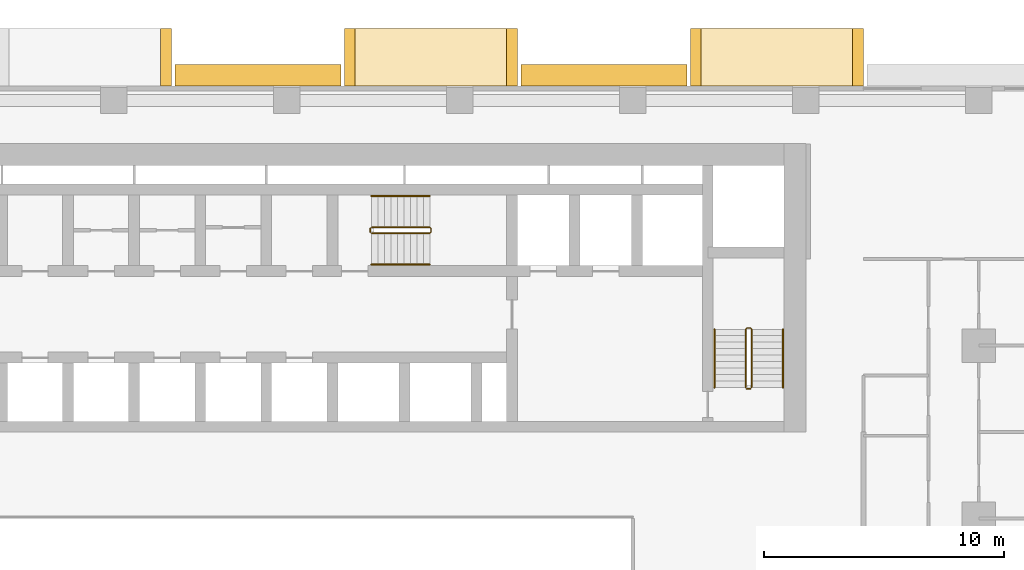
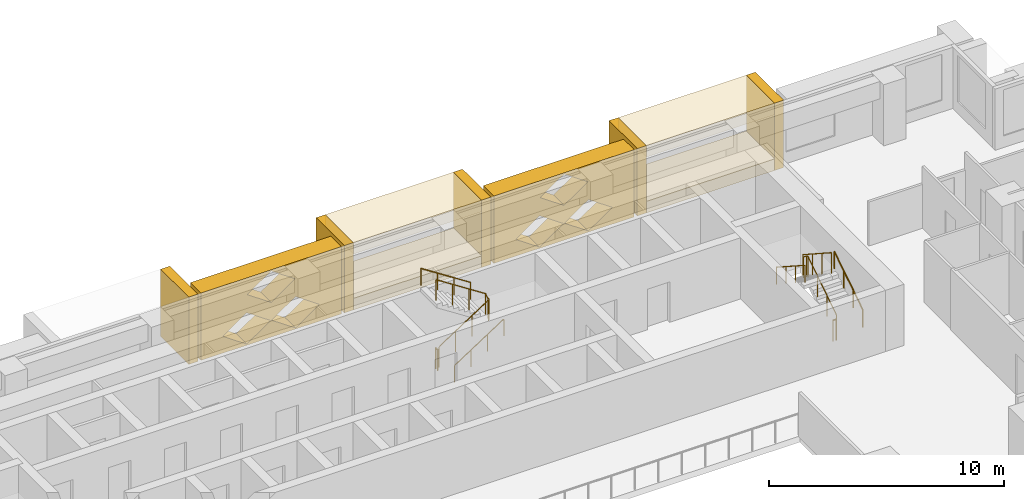
# One storey, part 15 of 16: 11 coverings, 8 railings.
"""IFC4 building model written with IfcOpenShell, lengths in metres."""

from ifc_helpers import new_model, si_unit, direction, frame, origin, origin_2d, place, context, subcontext, project, spatial, polyline, circle, outline, extrude, material, type_object, element, save


model = new_model("IFC4")

# Units and contexts
model_context = context("Model", 3, precision=1e-05, world=origin(), true_north=direction((0.0, 1.0)))
body_context = subcontext(model_context, "Body", "Model", "MODEL_VIEW")
ifc_project = project(units=[si_unit("LENGTHUNIT", "METRE"), si_unit("AREAUNIT", "SQUARE_METRE"), si_unit("VOLUMEUNIT", "CUBIC_METRE"), si_unit("PLANEANGLEUNIT", "RADIAN"), si_unit("MASSUNIT", "GRAM", prefix="KILO")], contexts=[model_context])

# Site, building, storey
site_placement = place(None, origin())
site = spatial("IfcSite", under=ifc_project, at=site_placement, CompositionType="ELEMENT")
building_placement = place(site_placement, origin())
building = spatial("IfcBuilding", under=site, at=building_placement, Name="Saffron Iwan Residences", CompositionType="ELEMENT")
storey_placement = place(building_placement, frame((0.0, 0.0, 30.5)))
storey = spatial("IfcBuildingStorey", under=building, at=storey_placement, Name="L06", CompositionType="ELEMENT", Elevation=30.5)

# Coverings
ifc_material_1 = material(Name="Precast concrete C40/50", Category="concrete")
covering_type_1 = type_object("IfcCoveringType", Name="OUTER SKIN LATTICE SCREEN", PredefinedType="CLADDING", material=ifc_material_1)
for number, where, z_axis, x_axis, name in (
    (1, (67.050048828125, 80.39990234375, -0.320068359375), (0.0, 1.0, 0.0), (-1.0, 0.0, 0.0), "OUTER SKIN lattice screen L06 F5.1"),
    (2, (52.64990234375, 80.39990234375, -0.320068359375), (0.0, 1.0, 0.0), (-1.0, 0.0, 0.0), "OUTER SKIN lattice screen L06 F5.2"),
):
    element("IfcCovering", number, at=place(storey_placement, frame(where, z_axis=z_axis, x_axis=x_axis)), inside=storey, type_object=covering_type_1, Name=name, PredefinedType="CLADDING", context=body_context, shape_type="SweptSolid", body=[
        extrude(outline(polyline([(0.0, 0.0), (6.89990234375, 0.0), (6.89990234375, 3.5), (0.0, 3.5), (0.0, 0.0)]), holes=[polyline([(1.070068359375, 0.875), (2.25, 0.06005859375), (3.429931640625, 0.875), (2.25, 1.68994140625), (1.070068359375, 0.875)]), polyline([(3.469970703125, 0.875), (4.64990234375, 0.06005859375), (5.830078125, 0.875), (4.64990234375, 1.68994140625), (3.469970703125, 0.875)]), polyline([(2.27001953125, 2.625), (3.449951171875, 1.81005859375), (4.6298828125, 2.625), (3.449951171875, 3.43994140625), (2.27001953125, 2.625)])]), origin(), (0.0, 0.0, 1.0), 0.900146484375),
    ])

# Railings
ifc_material_2 = material(Name="Steel S355", Category="steel")
railing_type_1 = type_object("IfcRailingType", Name="Stair guard 1100", PredefinedType="GUARDRAIL", material=ifc_material_2)
railing_1_placement = place(storey_placement, frame((53.925048828125, 74.27490234375, 0.175048828125)))
element("IfcRailing", 3, at=railing_1_placement, inside=storey, type_object=railing_type_1, Name="L06 ST-C stair guard 1", PredefinedType="GUARDRAIL", context=body_context, shape_type="SweptSolid", body=[
    extrude(circle(Radius=0.02392578125, at=origin_2d()), frame((0.0, 0.0, 1.076171875), z_axis=(0.839153699163, 0.0, 0.543894354798), x_axis=(0.0, 1.0, 0.0)), (0.0, 0.0, 1.0), 2.895751953125),
    extrude(circle(Radius=0.02392578125, at=origin_2d()), frame((2.429931640625, 0.0, 2.65087890625), z_axis=(0.707106781187, 0.707106781187, 0.0), x_axis=(-0.707106781187, 0.707106781187, 0.0)), (0.0, 0.0, 1.0), 0.07080078125),
    extrude(circle(Radius=0.02392578125, at=origin_2d()), frame((2.47998046875, 0.050048828125, 2.65087890625), z_axis=(0.0, 1.0, 0.0), x_axis=(-1.0, 0.0, 0.0)), (0.0, 0.0, 1.0), 0.150146484375),
    extrude(circle(Radius=0.02392578125, at=origin_2d()), frame((2.47998046875, 0.2001953125, 2.65087890625), z_axis=(-0.265155923931, 0.263862480399, 0.927399011991), x_axis=(-0.705375805398, -0.708833529934, 0.0)), (0.0, 0.0, 1.0), 0.188720703125),
    extrude(circle(Radius=0.02392578125, at=origin_2d()), frame((2.429931640625, 0.25, 2.826171875), z_axis=(-0.839153699163, 0.0, 0.543894354798), x_axis=(0.0, -1.0, 0.0)), (0.0, 0.0, 1.0), 2.895751953125),
    extrude(circle(Radius=0.02099609375, at=origin_2d()), origin(), (0.0, 0.0, 1.0), 1.052001953125),
    extrude(circle(Radius=0.02099609375, at=origin_2d()), frame((0.81005859375, 0.0, 0.52490234375)), (0.0, 0.0, 1.0), 1.052001953125),
    extrude(circle(Radius=0.02099609375, at=origin_2d()), frame((1.619873046875, 0.0, 1.050048828125)), (0.0, 0.0, 1.0), 1.052001953125),
    extrude(circle(Radius=0.02099609375, at=origin_2d()), frame((2.429931640625, 0.0, 1.574951171875)), (0.0, 0.0, 1.0), 1.052001953125),
    extrude(circle(Radius=0.02099609375, at=origin_2d()), frame((2.47998046875, 0.050048828125, 1.574951171875)), (0.0, 0.0, 1.0), 1.052001953125),
    extrude(circle(Radius=0.02099609375, at=origin_2d()), frame((2.47998046875, 0.2001953125, 1.574951171875)), (0.0, 0.0, 1.0), 1.052001953125),
    extrude(circle(Radius=0.02099609375, at=origin_2d()), frame((2.429931640625, 0.25, 1.75)), (0.0, 0.0, 1.0), 1.052001953125),
    extrude(circle(Radius=0.02099609375, at=origin_2d()), frame((1.619873046875, 0.25, 2.27490234375)), (0.0, 0.0, 1.0), 1.052001953125),
    extrude(circle(Radius=0.02099609375, at=origin_2d()), frame((0.81005859375, 0.25, 2.800048828125)), (0.0, 0.0, 1.0), 1.052001953125),
    extrude(circle(Radius=0.02099609375, at=origin_2d()), frame((0.0, 0.25, 3.324951171875)), (0.0, 0.0, 1.0), 1.052001953125),
])
railing_2_placement = place(storey_placement, frame((53.875, 74.324951171875, 0.0)))
element("IfcRailing", 4, at=railing_2_placement, inside=storey, type_object=railing_type_1, Name="L06 ST-C stair guard 2", PredefinedType="GUARDRAIL", context=body_context, shape_type="SweptSolid", body=[
    extrude(circle(Radius=0.02392578125, at=origin_2d()), frame((0.0, 0.0, 1.076171875), z_axis=(0.0, 1.0, 0.0), x_axis=(-1.0, 0.0, 0.0)), (0.0, 0.0, 1.0), 0.150146484375),
    extrude(circle(Radius=0.02099609375, at=origin_2d()), origin(), (0.0, 0.0, 1.0), 1.052001953125),
    extrude(circle(Radius=0.02099609375, at=origin_2d()), frame((0.0, 0.150146484375, 0.0)), (0.0, 0.0, 1.0), 1.052001953125),
])
railing_3_placement = place(storey_placement, frame((69.75, 67.85009765625, 0.175048828125)))
element("IfcRailing", 5, at=railing_3_placement, inside=storey, type_object=railing_type_1, Name="L06 ST-E stair guard 1", PredefinedType="GUARDRAIL", context=body_context, shape_type="SweptSolid", body=[
    extrude(circle(Radius=0.02392578125, at=origin_2d()), frame((0.0, 0.0, 1.076171875), z_axis=(0.0, 0.839153699163, 0.543894354798), x_axis=(-1.0, 0.0, 0.0)), (0.0, 0.0, 1.0), 2.895751953125),
    extrude(circle(Radius=0.02392578125, at=origin_2d()), frame((0.0, 2.429931640625, 2.65087890625), z_axis=(-0.707106781187, 0.707106781187, 0.0), x_axis=(-0.707106781187, -0.707106781187, 0.0)), (0.0, 0.0, 1.0), 0.07080078125),
    extrude(circle(Radius=0.02392578125, at=origin_2d()), frame((-0.050048828125, 2.47998046875, 2.65087890625), z_axis=(-1.0, 0.0, 0.0), x_axis=(0.0, -1.0, 0.0)), (0.0, 0.0, 1.0), 0.14990234375),
    extrude(circle(Radius=0.02392578125, at=origin_2d()), frame((-0.199951171875, 2.47998046875, 2.65087890625), z_axis=(-0.265065253269, -0.265065253269, 0.927081885822), x_axis=(0.707106781187, -0.707106781187, 0.0)), (0.0, 0.0, 1.0), 0.188720703125),
    extrude(circle(Radius=0.02392578125, at=origin_2d()), frame((-0.25, 2.429931640625, 2.826171875), z_axis=(0.0, -0.839153699163, 0.543894354798), x_axis=(1.0, 0.0, 0.0)), (0.0, 0.0, 1.0), 2.895751953125),
    extrude(circle(Radius=0.02099609375, at=origin_2d()), origin(), (0.0, 0.0, 1.0), 1.052001953125),
    extrude(circle(Radius=0.02099609375, at=origin_2d()), frame((0.0, 0.81005859375, 0.52490234375)), (0.0, 0.0, 1.0), 1.052001953125),
    extrude(circle(Radius=0.02099609375, at=origin_2d()), frame((0.0, 1.619873046875, 1.050048828125)), (0.0, 0.0, 1.0), 1.052001953125),
    extrude(circle(Radius=0.02099609375, at=origin_2d()), frame((0.0, 2.429931640625, 1.574951171875)), (0.0, 0.0, 1.0), 1.052001953125),
    extrude(circle(Radius=0.02099609375, at=origin_2d()), frame((-0.050048828125, 2.47998046875, 1.574951171875)), (0.0, 0.0, 1.0), 1.052001953125),
    extrude(circle(Radius=0.02099609375, at=origin_2d()), frame((-0.199951171875, 2.47998046875, 1.574951171875)), (0.0, 0.0, 1.0), 1.052001953125),
    extrude(circle(Radius=0.02099609375, at=origin_2d()), frame((-0.25, 2.429931640625, 1.75)), (0.0, 0.0, 1.0), 1.052001953125),
    extrude(circle(Radius=0.02099609375, at=origin_2d()), frame((-0.25, 1.619873046875, 2.27490234375)), (0.0, 0.0, 1.0), 1.052001953125),
    extrude(circle(Radius=0.02099609375, at=origin_2d()), frame((-0.25, 0.81005859375, 2.800048828125)), (0.0, 0.0, 1.0), 1.052001953125),
    extrude(circle(Radius=0.02099609375, at=origin_2d()), frame((-0.25, 0.0, 3.324951171875)), (0.0, 0.0, 1.0), 1.052001953125),
])
railing_4_placement = place(storey_placement, frame((69.699951171875, 67.800048828125, 0.0)))
element("IfcRailing", 6, at=railing_4_placement, inside=storey, type_object=railing_type_1, Name="L06 ST-E stair guard 2", PredefinedType="GUARDRAIL", context=body_context, shape_type="SweptSolid", body=[
    extrude(circle(Radius=0.02392578125, at=origin_2d()), frame((0.0, 0.0, 1.076171875), z_axis=(-1.0, 0.0, 0.0), x_axis=(0.0, -1.0, 0.0)), (0.0, 0.0, 1.0), 0.14990234375),
    extrude(circle(Radius=0.02099609375, at=origin_2d()), origin(), (0.0, 0.0, 1.0), 1.052001953125),
    extrude(circle(Radius=0.02099609375, at=origin_2d()), frame((-0.14990234375, 0.0, 0.0)), (0.0, 0.0, 1.0), 1.052001953125),
])
ifc_material_3 = material(Name="Stainless steel 316", Category="steel")
railing_type_2 = type_object("IfcRailingType", Name="Stair handrail 900", PredefinedType="HANDRAIL", material=ifc_material_3)
railing_5_placement = place(storey_placement, frame((53.925048828125, 72.97509765625, 0.175048828125)))
element("IfcRailing", 7, at=railing_5_placement, inside=storey, type_object=railing_type_2, Name="L06 ST-C stair handrail 1", PredefinedType="HANDRAIL", context=body_context, shape_type="SweptSolid", body=[
    extrude(circle(Radius=0.02392578125, at=origin_2d()), frame((0.0, 0.0, 0.8759765625), z_axis=(0.839153699163, 0.0, 0.543894354798), x_axis=(0.0, 1.0, 0.0)), (0.0, 0.0, 1.0), 2.895751953125),
    extrude(circle(Radius=0.02099609375, at=origin_2d()), origin(), (0.0, 0.0, 1.0), 0.851806640625),
    extrude(circle(Radius=0.02099609375, at=origin_2d()), frame((0.81005859375, 0.0, 0.52490234375)), (0.0, 0.0, 1.0), 0.851806640625),
    extrude(circle(Radius=0.02099609375, at=origin_2d()), frame((1.619873046875, 0.0, 1.050048828125)), (0.0, 0.0, 1.0), 0.851806640625),
    extrude(circle(Radius=0.02099609375, at=origin_2d()), frame((2.429931640625, 0.0, 1.574951171875)), (0.0, 0.0, 1.0), 0.851806640625),
])
railing_6_placement = place(storey_placement, frame((56.35498046875, 75.824951171875, 1.925048828125)))
element("IfcRailing", 8, at=railing_6_placement, inside=storey, type_object=railing_type_2, Name="L06 ST-C stair handrail 2", PredefinedType="HANDRAIL", context=body_context, shape_type="SweptSolid", body=[
    extrude(circle(Radius=0.02392578125, at=origin_2d()), frame((0.0, 0.0, 0.8759765625), z_axis=(-0.839153699163, 0.0, 0.543894354798), x_axis=(0.0, -1.0, 0.0)), (0.0, 0.0, 1.0), 2.895751953125),
    extrude(circle(Radius=0.02099609375, at=origin_2d()), origin(), (0.0, 0.0, 1.0), 0.851806640625),
    extrude(circle(Radius=0.02099609375, at=origin_2d()), frame((-0.81005859375, 0.0, 0.52490234375)), (0.0, 0.0, 1.0), 0.851806640625),
    extrude(circle(Radius=0.02099609375, at=origin_2d()), frame((-1.619873046875, 0.0, 1.050048828125)), (0.0, 0.0, 1.0), 0.851806640625),
    extrude(circle(Radius=0.02099609375, at=origin_2d()), frame((-2.429931640625, 0.0, 1.574951171875)), (0.0, 0.0, 1.0), 0.851806640625),
])
railing_7_placement = place(storey_placement, frame((71.050048828125, 67.85009765625, 0.175048828125)))
element("IfcRailing", 9, at=railing_7_placement, inside=storey, type_object=railing_type_2, Name="L06 ST-E stair handrail 1", PredefinedType="HANDRAIL", context=body_context, shape_type="SweptSolid", body=[
    extrude(circle(Radius=0.02392578125, at=origin_2d()), frame((0.0, 0.0, 0.8759765625), z_axis=(0.0, 0.839153699163, 0.543894354798), x_axis=(-1.0, 0.0, 0.0)), (0.0, 0.0, 1.0), 2.895751953125),
    extrude(circle(Radius=0.02099609375, at=origin_2d()), origin(), (0.0, 0.0, 1.0), 0.851806640625),
    extrude(circle(Radius=0.02099609375, at=origin_2d()), frame((0.0, 0.81005859375, 0.52490234375)), (0.0, 0.0, 1.0), 0.851806640625),
    extrude(circle(Radius=0.02099609375, at=origin_2d()), frame((0.0, 1.619873046875, 1.050048828125)), (0.0, 0.0, 1.0), 0.851806640625),
    extrude(circle(Radius=0.02099609375, at=origin_2d()), frame((0.0, 2.429931640625, 1.574951171875)), (0.0, 0.0, 1.0), 0.851806640625),
])
railing_8_placement = place(storey_placement, frame((68.199951171875, 70.280029296875, 1.925048828125)))
element("IfcRailing", 10, at=railing_8_placement, inside=storey, type_object=railing_type_2, Name="L06 ST-E stair handrail 2", PredefinedType="HANDRAIL", context=body_context, shape_type="SweptSolid", body=[
    extrude(circle(Radius=0.02392578125, at=origin_2d()), frame((0.0, 0.0, 0.8759765625), z_axis=(0.0, -0.839153699163, 0.543894354798), x_axis=(1.0, 0.0, 0.0)), (0.0, 0.0, 1.0), 2.895751953125),
    extrude(circle(Radius=0.02099609375, at=origin_2d()), origin(), (0.0, 0.0, 1.0), 0.851806640625),
    extrude(circle(Radius=0.02099609375, at=origin_2d()), frame((0.0, -0.81005859375, 0.52490234375)), (0.0, 0.0, 1.0), 0.851806640625),
    extrude(circle(Radius=0.02099609375, at=origin_2d()), frame((0.0, -1.619873046875, 1.050048828125)), (0.0, 0.0, 1.0), 0.851806640625),
    extrude(circle(Radius=0.02099609375, at=origin_2d()), frame((0.0, -2.429931640625, 1.574951171875)), (0.0, 0.0, 1.0), 0.851806640625),
])

# Coverings
ifc_material_4 = material(Name="Precast concrete C40/50 white painted", Category="concrete")
covering_type_2 = type_object("IfcCoveringType", Name="WHITE SUN FRAME PRECAST", PredefinedType="CLADDING", material=ifc_material_4)
for number, where, z_axis, x_axis, name in (
    (11, (74.39990234375, 80.39990234375, -0.320068359375), (0.0, 1.0, 0.0), (-1.0, 0.0, 0.0), "Sun frame L06 F5 8.4a"),
    (12, (67.64990234375, 80.39990234375, -0.320068359375), (0.0, 1.0, 0.0), (-1.0, 0.0, 0.0), "Sun frame L06 F5 8.4b"),
):
    element("IfcCovering", number, at=place(storey_placement, frame(where, z_axis=z_axis, x_axis=x_axis)), inside=storey, type_object=covering_type_2, Name=name, PredefinedType="CLADDING", context=body_context, shape_type="SweptSolid", body=[
        extrude(outline(polyline([(0.0, 0.0), (0.449951171875, 0.0), (0.449951171875, 3.5), (0.0, 3.5), (0.0, 0.0)])), origin(), (0.0, 0.0, 1.0), 2.400146484375),
    ])
for number, where, z_axis, x_axis, name in (
    (13, (73.949951171875, 80.39990234375, 2.580078125), (0.0, 1.0, 0.0), (-1.0, 0.0, 0.0), "Sun frame L06 F5 8.4h"),
    (14, (73.949951171875, 80.39990234375, -0.320068359375), (0.0, 1.0, 0.0), (-1.0, 0.0, 0.0), "Sun frame L06 F5 8.4s"),
):
    element("IfcCovering", number, at=place(storey_placement, frame(where, z_axis=z_axis, x_axis=x_axis)), inside=storey, type_object=covering_type_2, Name=name, PredefinedType="CLADDING", context=body_context, shape_type="SweptSolid", body=[
        extrude(outline(polyline([(0.0, 0.0), (6.300048828125, 0.0), (6.300048828125, 0.60009765625), (0.0, 0.60009765625), (0.0, 0.0)])), origin(), (0.0, 0.0, 1.0), 2.400146484375),
    ])
for number, where, z_axis, x_axis, name in (
    (15, (60.0, 80.39990234375, -0.320068359375), (0.0, 1.0, 0.0), (-1.0, 0.0, 0.0), "Sun frame L06 F5 22.8a"),
    (16, (53.25, 80.39990234375, -0.320068359375), (0.0, 1.0, 0.0), (-1.0, 0.0, 0.0), "Sun frame L06 F5 22.8b"),
):
    element("IfcCovering", number, at=place(storey_placement, frame(where, z_axis=z_axis, x_axis=x_axis)), inside=storey, type_object=covering_type_2, Name=name, PredefinedType="CLADDING", context=body_context, shape_type="SweptSolid", body=[
        extrude(outline(polyline([(0.0, 0.0), (0.449951171875, 0.0), (0.449951171875, 3.5), (0.0, 3.5), (0.0, 0.0)])), origin(), (0.0, 0.0, 1.0), 2.400146484375),
    ])
for number, where, z_axis, x_axis, name in (
    (17, (59.550048828125, 80.39990234375, 2.580078125), (0.0, 1.0, 0.0), (-1.0, 0.0, 0.0), "Sun frame L06 F5 22.8h"),
    (18, (59.550048828125, 80.39990234375, -0.320068359375), (0.0, 1.0, 0.0), (-1.0, 0.0, 0.0), "Sun frame L06 F5 22.8s"),
):
    element("IfcCovering", number, at=place(storey_placement, frame(where, z_axis=z_axis, x_axis=x_axis)), inside=storey, type_object=covering_type_2, Name=name, PredefinedType="CLADDING", context=body_context, shape_type="SweptSolid", body=[
        extrude(outline(polyline([(0.0, 0.0), (6.300048828125, 0.0), (6.300048828125, 0.60009765625), (0.0, 0.60009765625), (0.0, 0.0)])), origin(), (0.0, 0.0, 1.0), 2.400146484375),
    ])
covering_placement = place(storey_placement, frame((45.60009765625, 80.39990234375, -0.320068359375), z_axis=(0.0, 1.0, 0.0), x_axis=(-1.0, 0.0, 0.0)))
element("IfcCovering", 19, at=covering_placement, inside=storey, type_object=covering_type_2, Name="Sun frame L06 F5 37.2a", PredefinedType="CLADDING", context=body_context, shape_type="SweptSolid", body=[
    extrude(outline(polyline([(0.0, 0.0), (0.449951171875, 0.0), (0.449951171875, 3.5), (0.0, 3.5), (0.0, 0.0)])), origin(), (0.0, 0.0, 1.0), 2.400146484375),
])

save(model, "model.ifc")
